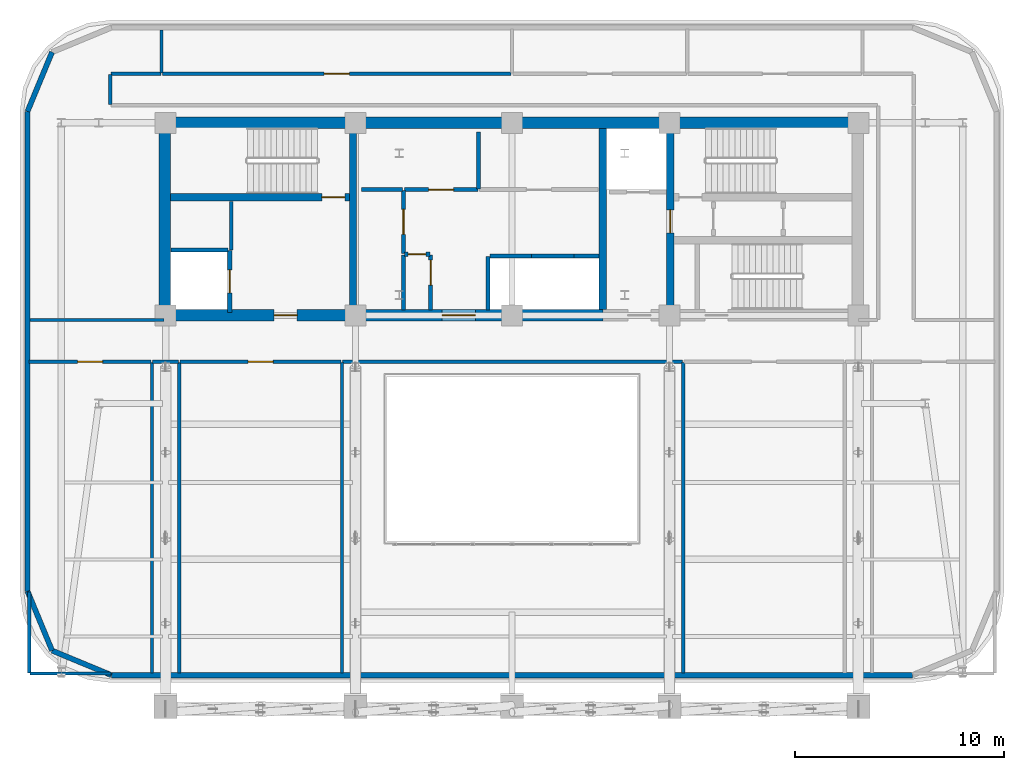
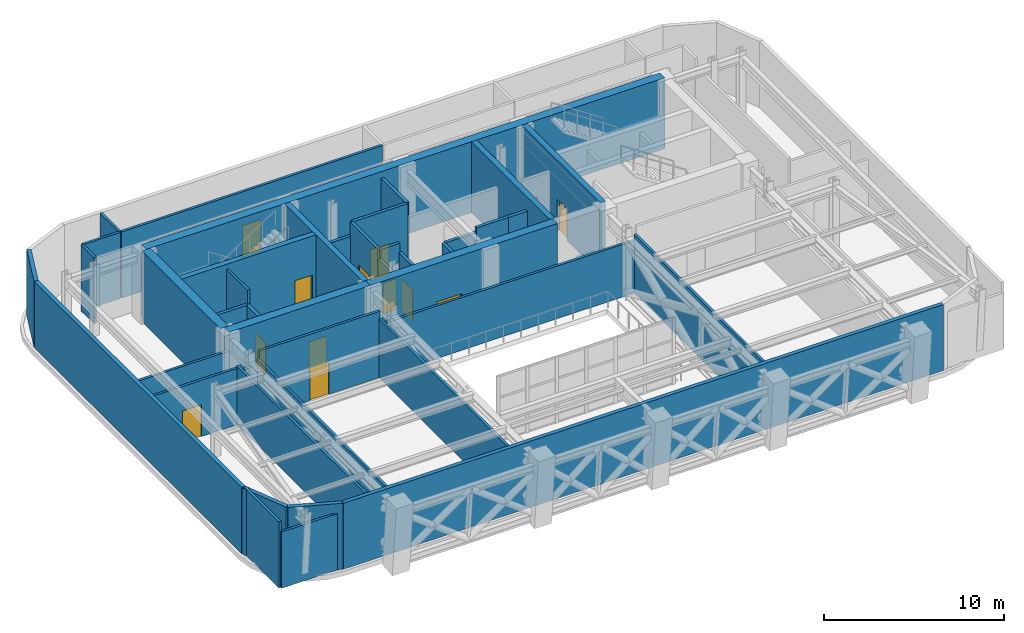
# One storey, part 7 of 12: 42 walls, 12 doors, 12 openings.
"""IFC4 building model written with IfcOpenShell, lengths in metres."""

from ifc_helpers import new_model, si_unit, direction, frame, frame_2d, origin, place, context, subcontext, project, spatial, rectangle, extrude, material, layer, layer_set, type_object, element, fill, save


model = new_model("IFC4")

# Units and contexts
model_context = context("Model", 3, precision=1e-05, world=origin(), true_north=direction((0.0, 1.0)))
body_context = subcontext(model_context, "Body", "Model", "MODEL_VIEW")
ifc_project = project(units=[si_unit("LENGTHUNIT", "METRE"), si_unit("AREAUNIT", "SQUARE_METRE"), si_unit("VOLUMEUNIT", "CUBIC_METRE"), si_unit("PLANEANGLEUNIT", "RADIAN"), si_unit("MASSUNIT", "GRAM", prefix="KILO")], contexts=[model_context])

# Site, building, storey
site_placement = place(None, origin())
site = spatial("IfcSite", under=ifc_project, at=site_placement, CompositionType="ELEMENT")
building_placement = place(site_placement, origin())
building = spatial("IfcBuilding", under=site, at=building_placement, Name="Zarnavel Station Tower", CompositionType="ELEMENT")
storey_placement = place(building_placement, frame((0.0, 0.0, 188.39990234375)))
storey = spatial("IfcBuildingStorey", under=building, at=storey_placement, Name="L51", CompositionType="ELEMENT", Elevation=188.39990234375)

# Walls
ifc_material_1 = material(Name="Concrete C50/60", Category="concrete")
ifc_layer_1 = layer(ifc_material_1, 0.35009765625)
ifc_layer_set_1 = layer_set([ifc_layer_1], Name="CW_350")
wall_type_1 = type_object("IfcWallType", Name="CW_350", PredefinedType="SHEAR", material=ifc_layer_set_1)
for number, where, z_axis, x_axis, name in (
    (1, (21.179931640625, 28.094970703125, 0.0), (0.0, 0.0, 1.0), (0.0, 1.0, 0.0), "L51 Rear Core Shear Wall DIV-W"),
    (2, (33.14990234375, 28.094970703125, 0.0), (0.0, 0.0, 1.0), (0.0, 1.0, 0.0), "L51 Rear Core Shear Wall DIV-E"),
):
    element("IfcWall", number, at=place(storey_placement, frame(where, z_axis=z_axis, x_axis=x_axis)), inside=storey, type_object=wall_type_1, Name=name, PredefinedType="SHEAR", context=body_context, shape_type="SweptSolid", body=[
        extrude(rectangle(XDim=8.679931640625, YDim=0.35009765625, at=frame_2d((4.33984375, 0.0))), origin(), (0.0, 0.0, 1.0), 4.800048828125),
    ])

# Wall, opening, door
wall_1_placement = place(storey_placement, frame((36.3798828125, 28.094970703125, 0.0), z_axis=(0.0, 0.0, 1.0), x_axis=(0.0, 1.0, 0.0)))
wall_1 = element("IfcWall", 3, at=wall_1_placement, inside=storey, type_object=wall_type_1, Name="L51 Rear Core Shear Wall DIV-S2", PredefinedType="SHEAR", context=body_context, shape_type="SweptSolid", body=[
    extrude(rectangle(XDim=8.679931640625, YDim=0.35009765625, at=frame_2d((4.33984375, 0.0))), origin(), (0.0, 0.0, 1.0), 4.800048828125),
])
opening_1_placement = place(wall_1_placement, frame((3.68505859375, 0.0, 0.0)))
opening_1 = element("IfcOpeningElement", 4, at=opening_1_placement, cuts=wall_1, Name="Opening FD01", PredefinedType="OPENING", context=body_context, shape_type="SweptSolid", body=[
    extrude(rectangle(XDim=1.10009765625, YDim=2.14990234375, at=frame_2d((0.550048828125, 1.074951171875))), frame((0.0, 0.18505859375, 0.0), z_axis=(0.0, -1.0, 0.0), x_axis=(1.0, 0.0, 0.0)), (0.0, 0.0, 1.0), 0.3701171875),
])
ifc_material_2 = material(Name="Painted Galvanised Steel and Hardwood Leaf", Category="steel")
door_type_1 = type_object("IfcDoorType", Name="ID_STAIR_1100", OperationType="NOTDEFINED", PredefinedType="DOOR", material=ifc_material_2)
door_1_placement = place(opening_1_placement, origin())
door_1 = element("IfcDoor", 5, at=door_1_placement, inside=storey, type_object=door_type_1, Name="L51 East Stair Vestibule Fire Door", OperationType="SINGLE_SWING_LEFT", OverallHeight=2.14990234375, OverallWidth=1.10009765625, PredefinedType="DOOR", context=body_context, shape_type="SweptSolid", body=[
    extrude(rectangle(XDim=1.10009765625, YDim=2.14990234375, at=frame_2d((0.550048828125, 1.074951171875))), frame((0.0, 0.02490234375, 0.0), z_axis=(0.0, -1.0, 0.0), x_axis=(1.0, 0.0, 0.0)), (0.0, 0.0, 1.0), 0.050048828125),
])
fill(opening_1, door_1)

wall_2_placement = place(storey_placement, frame((21.0048828125, 33.47998046875, 0.0), z_axis=(0.0, 0.0, 1.0), x_axis=(-1.0, 0.0, 0.0)))
wall_2 = element("IfcWall", 6, at=wall_2_placement, inside=storey, type_object=wall_type_1, Name="L51 Rear Core Shear Wall DIV-H1", PredefinedType="SHEAR", context=body_context, shape_type="SweptSolid", body=[
    extrude(rectangle(XDim=8.579833984375, YDim=0.35009765625, at=frame_2d((4.2900390625, 0.0))), origin(), (0.0, 0.0, 1.0), 4.800048828125),
])
opening_2_placement = place(wall_2_placement, frame((0.219970703125, 0.0, 0.0)))
opening_2 = element("IfcOpeningElement", 7, at=opening_2_placement, cuts=wall_2, Name="Opening FD01", PredefinedType="OPENING", context=body_context, shape_type="SweptSolid", body=[
    extrude(rectangle(XDim=1.10009765625, YDim=2.14990234375, at=frame_2d((0.550048828125, 1.074951171875))), frame((0.0, 0.18505859375, 0.0), z_axis=(0.0, -1.0, 0.0), x_axis=(1.0, 0.0, 0.0)), (0.0, 0.0, 1.0), 0.3701171875),
])
door_2_placement = place(opening_2_placement, origin())
door_2 = element("IfcDoor", 8, at=door_2_placement, inside=storey, type_object=door_type_1, Name="L51 Stair ST1 Lobby Fire Door", OperationType="SINGLE_SWING_LEFT", OverallHeight=2.14990234375, OverallWidth=1.10009765625, PredefinedType="DOOR", context=body_context, shape_type="SweptSolid", body=[
    extrude(rectangle(XDim=1.10009765625, YDim=2.14990234375, at=frame_2d((0.550048828125, 1.074951171875))), frame((0.0, 0.02490234375, 0.0), z_axis=(0.0, -1.0, 0.0), x_axis=(1.0, 0.0, 0.0)), (0.0, 0.0, 1.0), 0.050048828125),
])
fill(opening_2, door_2)

# Wall
ifc_material_3 = material(Name="Concrete C50/60", Category="concrete")
ifc_layer_2 = layer(ifc_material_3, 0.550048828125)
ifc_layer_set_2 = layer_set([ifc_layer_2], Name="CW_550")
wall_type_2 = type_object("IfcWallType", Name="CW_550", PredefinedType="SHEAR", material=ifc_layer_set_2)
wall_3_placement = place(storey_placement, frame((12.14990234375, 37.050048828125, 0.0), z_axis=(0.0, 0.0, 1.0), x_axis=(1.0, 0.0, 0.0)))
element("IfcWall", 9, at=wall_3_placement, inside=storey, type_object=wall_type_2, Name="L51 Rear Core Shear Wall N", PredefinedType="SHEAR", context=body_context, shape_type="SweptSolid", body=[
    extrude(rectangle(XDim=33.22998046875, YDim=0.550048828125, at=frame_2d((16.614990234375, 0.0))), origin(), (0.0, 0.0, 1.0), 4.800048828125),
])

# Wall, opening, door
wall_4_placement = place(storey_placement, frame((21.179931640625, 27.820068359375, 0.0), z_axis=(0.0, 0.0, 1.0), x_axis=(-1.0, 0.0, 0.0)))
wall_4 = element("IfcWall", 10, at=wall_4_placement, inside=storey, type_object=wall_type_2, Name="L51 Rear Core Shear Wall S-W", PredefinedType="SHEAR", context=body_context, shape_type="SweptSolid", body=[
    extrude(rectangle(XDim=9.030029296875, YDim=0.550048828125, at=frame_2d((4.51513671875, 0.0))), origin(), (0.0, 0.0, 1.0), 4.800048828125),
])
opening_3_placement = place(wall_4_placement, frame((2.679931640625, 0.0, 0.0)))
opening_3 = element("IfcOpeningElement", 11, at=opening_3_placement, cuts=wall_4, Name="Opening FD01", PredefinedType="OPENING", context=body_context, shape_type="SweptSolid", body=[
    extrude(rectangle(XDim=1.10009765625, YDim=2.14990234375, at=frame_2d((0.550048828125, 1.074951171875))), frame((0.0, 0.284912109375, 0.0), z_axis=(0.0, -1.0, 0.0), x_axis=(1.0, 0.0, 0.0)), (0.0, 0.0, 1.0), 0.570068359375),
])
door_3_placement = place(opening_3_placement, origin())
door_3 = element("IfcDoor", 12, at=door_3_placement, inside=storey, type_object=door_type_1, Name="L51 West Firefighting Lobby Door", OperationType="SINGLE_SWING_RIGHT", OverallHeight=2.14990234375, OverallWidth=1.10009765625, PredefinedType="DOOR", context=body_context, shape_type="SweptSolid", body=[
    extrude(rectangle(XDim=1.10009765625, YDim=2.14990234375, at=frame_2d((0.550048828125, 1.074951171875))), frame((0.0, 0.02490234375, 0.0), z_axis=(0.0, -1.0, 0.0), x_axis=(1.0, 0.0, 0.0)), (0.0, 0.0, 1.0), 0.050048828125),
])
fill(opening_3, door_3)

wall_5_placement = place(storey_placement, frame((33.14990234375, 27.820068359375, 0.0), z_axis=(0.0, 0.0, 1.0), x_axis=(-1.0, 0.0, 0.0)))
wall_5 = element("IfcWall", 13, at=wall_5_placement, inside=storey, type_object=wall_type_2, Name="L51 Rear Core Shear Wall S-M", PredefinedType="SHEAR", context=body_context, shape_type="SweptSolid", body=[
    extrude(rectangle(XDim=11.969970703125, YDim=0.550048828125, at=frame_2d((5.98486328125, 0.0))), origin(), (0.0, 0.0, 1.0), 4.800048828125),
])
opening_4_placement = place(wall_5_placement, frame((6.10009765625, 0.0, 0.0)))
opening_4 = element("IfcOpeningElement", 14, at=opening_4_placement, cuts=wall_5, Name="Opening ID03", PredefinedType="OPENING", context=body_context, shape_type="SweptSolid", body=[
    extrude(rectangle(XDim=1.60009765625, YDim=2.199951171875, at=frame_2d((0.800048828125, 1.10009765625))), frame((0.0, 0.284912109375, 0.0), z_axis=(0.0, -1.0, 0.0), x_axis=(1.0, 0.0, 0.0)), (0.0, 0.0, 1.0), 0.570068359375),
])
ifc_material_4 = material(Name="Painted Galvanised Steel and Hardwood Leaf", Category="steel")
door_type_2 = type_object("IfcDoorType", Name="ID_PUBLIC_1600", OperationType="DOUBLE_DOOR_SINGLE_SWING", PredefinedType="DOOR", material=ifc_material_4)
door_4_placement = place(opening_4_placement, origin())
door_4 = element("IfcDoor", 15, at=door_4_placement, inside=storey, type_object=door_type_2, Name="L51 Passenger Lift Lobby Double Door", OperationType="SINGLE_SWING_LEFT", OverallHeight=2.199951171875, OverallWidth=1.60009765625, PredefinedType="DOOR", context=body_context, shape_type="SweptSolid", body=[
    extrude(rectangle(XDim=1.60009765625, YDim=2.199951171875, at=frame_2d((0.800048828125, 1.10009765625))), frame((0.0, 0.02490234375, 0.0), z_axis=(0.0, -1.0, 0.0), x_axis=(1.0, 0.0, 0.0)), (0.0, 0.0, 1.0), 0.050048828125),
])
fill(opening_4, door_4)

# Walls
wall_6_placement = place(storey_placement, frame((12.14990234375, 28.094970703125, 0.0), z_axis=(0.0, 0.0, 1.0), x_axis=(0.0, 1.0, 0.0)))
element("IfcWall", 16, at=wall_6_placement, inside=storey, type_object=wall_type_2, Name="L51 Rear Core Shear Wall W", PredefinedType="SHEAR", context=body_context, shape_type="SweptSolid", body=[
    extrude(rectangle(XDim=8.679931640625, YDim=0.550048828125, at=frame_2d((4.33984375, 0.0))), origin(), (0.0, 0.0, 1.0), 4.800048828125),
])
ifc_material_5 = material(Name="Precast concrete C45/55 (Basalt Spandrel)", Category="masonry")
ifc_layer_3 = layer(ifc_material_5, 0.25)
ifc_layer_set_3 = layer_set([ifc_layer_3], Name="EW_SPANDREL_250")
wall_type_3 = type_object("IfcWallType", Name="EW_SPANDREL_250", PredefinedType="SOLIDWALL", material=ifc_layer_set_3)
wall_7_placement = place(storey_placement, frame((5.580078125, 37.60009765625, 0.0), z_axis=(0.0, 0.0, 1.0), x_axis=(0.382636798336, 0.92389884758, 0.0)))
element("IfcWall", 17, at=wall_7_placement, inside=storey, type_object=wall_type_3, Name="L51 Exterior Basalt Masonry Frame Wall 08", PredefinedType="SOLIDWALL", context=body_context, shape_type="SweptSolid", body=[
    extrude(rectangle(XDim=3.07666015625, YDim=0.25, at=frame_2d((1.538330078125, 0.0))), origin(), (0.0, 0.0, 1.0), 4.47998046875),
])
wall_8_placement = place(storey_placement, frame((5.580078125, 14.60009765625, 0.0), z_axis=(0.0, 0.0, 1.0), x_axis=(0.0, 1.0, 0.0)))
element("IfcWall", 18, at=wall_8_placement, inside=storey, type_object=wall_type_3, Name="L51 Exterior Basalt Masonry Frame Wall 09", PredefinedType="SOLIDWALL", context=body_context, shape_type="SweptSolid", body=[
    extrude(rectangle(XDim=23.0, YDim=0.25, at=frame_2d((11.5, 0.0))), origin(), (0.0, 0.0, 1.0), 4.47998046875),
])
for number, where, z_axis, x_axis, name in (
    (19, (6.75732421875, 11.75732421875, 0.0), (0.0, 0.0, 1.0), (-0.382608747773, 0.923910464346, 0.0), "L51 Exterior Basalt Masonry Frame Wall 10"),
    (20, (9.60009765625, 10.580078125, 0.0), (0.0, 0.0, 1.0), (-0.923910464346, 0.382608747773, 0.0), "L51 Exterior Basalt Masonry Frame Wall 11"),
):
    element("IfcWall", number, at=place(storey_placement, frame(where, z_axis=z_axis, x_axis=x_axis)), inside=storey, type_object=wall_type_3, Name=name, PredefinedType="SOLIDWALL", context=body_context, shape_type="SweptSolid", body=[
        extrude(rectangle(XDim=3.076904296875, YDim=0.25, at=frame_2d((1.53857421875, 0.0))), origin(), (0.0, 0.0, 1.0), 4.47998046875),
    ])
wall_9_placement = place(storey_placement, frame((48.0, 10.580078125, 0.0), z_axis=(0.0, 0.0, 1.0), x_axis=(-1.0, 0.0, 0.0)))
element("IfcWall", 21, at=wall_9_placement, inside=storey, type_object=wall_type_3, Name="L51 Exterior Basalt Masonry Frame Wall 12", PredefinedType="SOLIDWALL", context=body_context, shape_type="SweptSolid", body=[
    extrude(rectangle(XDim=38.39990234375, YDim=0.25, at=frame_2d((19.199951171875, 0.0))), origin(), (0.0, 0.0, 1.0), 4.47998046875),
])

# Wall, opening, door
ifc_material_6 = material(Name="Gypsum Twin-Stud Acoustic Fire Partition", Category="concrete")
ifc_layer_4 = layer(ifc_material_6, 0.159912109375)
ifc_layer_set_4 = layer_set([ifc_layer_4], Name="PT_DEMISE_160")
wall_type_4 = type_object("IfcWallType", Name="PT_DEMISE_160", PredefinedType="PARTITIONING", material=ifc_layer_set_4)
wall_10_placement = place(storey_placement, frame((5.659912109375, 25.60009765625, 0.0), z_axis=(0.0, 0.0, 1.0), x_axis=(1.0, 0.0, 0.0)))
wall_10 = element("IfcWall", 22, at=wall_10_placement, inside=storey, type_object=wall_type_4, Name="L51 Partition PCOR-REFG", PredefinedType="PARTITIONING", context=body_context, shape_type="SweptSolid", body=[
    extrude(rectangle(XDim=5.85009765625, YDim=0.159912109375, at=frame_2d((2.925048828125, 0.0))), origin(), (0.0, 0.0, 1.0), 3.81005859375),
])
opening_5_placement = place(wall_10_placement, frame((2.324951171875, 0.0, 0.0)))
opening_5 = element("IfcOpeningElement", 23, at=opening_5_placement, cuts=wall_10, Name="Opening FD03", PredefinedType="OPENING", context=body_context, shape_type="SweptSolid", body=[
    extrude(rectangle(XDim=1.199951171875, YDim=2.14990234375, at=frame_2d((0.60009765625, 1.074951171875))), frame((0.0, 0.08984375, 0.0), z_axis=(0.0, -1.0, 0.0), x_axis=(1.0, 0.0, 0.0)), (0.0, 0.0, 1.0), 0.179931640625),
])
ifc_material_7 = material(Name="Painted Galvanised Steel and Hardwood Leaf", Category="steel")
door_type_3 = type_object("IfcDoorType", Name="ID_PLANT_1200", OperationType="NOTDEFINED", PredefinedType="DOOR", material=ifc_material_7)
door_5_placement = place(opening_5_placement, origin())
door_5 = element("IfcDoor", 24, at=door_5_placement, inside=storey, type_object=door_type_3, Name="L51 Door PCOR-REFG", OperationType="SINGLE_SWING_LEFT", OverallHeight=2.14990234375, OverallWidth=1.199951171875, PredefinedType="DOOR", context=body_context, shape_type="SweptSolid", body=[
    extrude(rectangle(XDim=1.199951171875, YDim=2.14990234375, at=frame_2d((0.60009765625, 1.074951171875))), frame((0.0, 0.02490234375, 0.0), z_axis=(0.0, -1.0, 0.0), x_axis=(1.0, 0.0, 0.0)), (0.0, 0.0, 1.0), 0.050048828125),
])
fill(opening_5, door_5)

wall_11_placement = place(storey_placement, frame((12.889892578125, 25.60009765625, 0.0), z_axis=(0.0, 0.0, 1.0), x_axis=(1.0, 0.0, 0.0)))
wall_11 = element("IfcWall", 25, at=wall_11_placement, inside=storey, type_object=wall_type_4, Name="L51 Partition PCOR-AHU1", PredefinedType="PARTITIONING", context=body_context, shape_type="SweptSolid", body=[
    extrude(rectangle(XDim=7.72021484375, YDim=0.159912109375, at=frame_2d((3.860107421875, 0.0))), origin(), (0.0, 0.0, 1.0), 4.47998046875),
])
opening_6_placement = place(wall_11_placement, frame((3.260009765625, 0.0, 0.0)))
opening_6 = element("IfcOpeningElement", 26, at=opening_6_placement, cuts=wall_11, Name="Opening FD03", PredefinedType="OPENING", context=body_context, shape_type="SweptSolid", body=[
    extrude(rectangle(XDim=1.199951171875, YDim=2.14990234375, at=frame_2d((0.60009765625, 1.074951171875))), frame((0.0, 0.08984375, 0.0), z_axis=(0.0, -1.0, 0.0), x_axis=(1.0, 0.0, 0.0)), (0.0, 0.0, 1.0), 0.179931640625),
])
door_6_placement = place(opening_6_placement, origin())
door_6 = element("IfcDoor", 27, at=door_6_placement, inside=storey, type_object=door_type_3, Name="L51 Door PCOR-AHU1", OperationType="SINGLE_SWING_RIGHT", OverallHeight=2.14990234375, OverallWidth=1.199951171875, PredefinedType="DOOR", context=body_context, shape_type="SweptSolid", body=[
    extrude(rectangle(XDim=1.199951171875, YDim=2.14990234375, at=frame_2d((0.60009765625, 1.074951171875))), frame((0.0, 0.02490234375, 0.0), z_axis=(0.0, -1.0, 0.0), x_axis=(1.0, 0.0, 0.0)), (0.0, 0.0, 1.0), 0.050048828125),
])
fill(opening_6, door_6)

wall_12_placement = place(storey_placement, frame((12.0400390625, 39.39990234375, 0.0), z_axis=(0.0, 0.0, 1.0), x_axis=(1.0, 0.0, 0.0)))
wall_12 = element("IfcWall", 28, at=wall_12_placement, inside=storey, type_object=wall_type_4, Name="L51 Partition PCOR-N-REFG2", PredefinedType="PARTITIONING", context=body_context, shape_type="SweptSolid", body=[
    extrude(rectangle(XDim=16.719970703125, YDim=0.159912109375, at=frame_2d((8.35986328125, 0.0))), origin(), (0.0, 0.0, 1.0), 4.47998046875),
])
opening_7_placement = place(wall_12_placement, frame((7.760009765625, 0.0, 0.0)))
opening_7 = element("IfcOpeningElement", 29, at=opening_7_placement, cuts=wall_12, Name="Opening FD03", PredefinedType="OPENING", context=body_context, shape_type="SweptSolid", body=[
    extrude(rectangle(XDim=1.199951171875, YDim=2.14990234375, at=frame_2d((0.60009765625, 1.074951171875))), frame((0.0, 0.08984375, 0.0), z_axis=(0.0, -1.0, 0.0), x_axis=(1.0, 0.0, 0.0)), (0.0, 0.0, 1.0), 0.179931640625),
])
door_7_placement = place(opening_7_placement, origin())
door_7 = element("IfcDoor", 30, at=door_7_placement, inside=storey, type_object=door_type_3, Name="L51 Door PCOR-N-REFG2", OperationType="SINGLE_SWING_LEFT", OverallHeight=2.14990234375, OverallWidth=1.199951171875, PredefinedType="DOOR", context=body_context, shape_type="SweptSolid", body=[
    extrude(rectangle(XDim=1.199951171875, YDim=2.14990234375, at=frame_2d((0.60009765625, 1.074951171875))), frame((0.0, 0.02490234375, 0.0), z_axis=(0.0, -1.0, 0.0), x_axis=(1.0, 0.0, 0.0)), (0.0, 0.0, 1.0), 0.050048828125),
])
fill(opening_7, door_7)

# Walls
wall_13_placement = place(storey_placement, frame((15.35009765625, 30.9599609375, 0.0), z_axis=(0.0, 0.0, 1.0), x_axis=(0.0, 1.0, 0.0)))
element("IfcWall", 31, at=wall_13_placement, inside=storey, type_object=wall_type_4, Name="L51 Enclosure Wall FFL1", PredefinedType="PARTITIONING", context=body_context, shape_type="SweptSolid", body=[
    extrude(rectangle(XDim=2.31005859375, YDim=0.159912109375, at=frame_2d((1.155029296875, 0.0))), origin(), (0.0, 0.0, 1.0), 4.47998046875),
])
wall_14_placement = place(storey_placement, frame((11.580078125, 25.60009765625, 0.0), z_axis=(0.0, 0.0, 1.0), x_axis=(1.0, 0.0, 0.0)))
element("IfcWall", 32, at=wall_14_placement, inside=storey, type_object=wall_type_4, Name="L51 Enclosure Wall PCOR", PredefinedType="PARTITIONING", context=body_context, shape_type="SweptSolid", body=[
    extrude(rectangle(XDim=1.239990234375, YDim=0.159912109375, at=frame_2d((0.6201171875, 0.0))), origin(), (0.0, 0.0, 1.0), 3.56005859375),
])
wall_15_placement = place(storey_placement, frame((20.679931640625, 25.60009765625, 0.0), z_axis=(0.0, 0.0, 1.0), x_axis=(1.0, 0.0, 0.0)))
element("IfcWall", 33, at=wall_15_placement, inside=storey, type_object=wall_type_4, Name="L51 Enclosure Wall PCOR", PredefinedType="PARTITIONING", context=body_context, shape_type="SweptSolid", body=[
    extrude(rectangle(XDim=16.2900390625, YDim=0.159912109375, at=frame_2d((8.14501953125, 0.0))), origin(), (0.0, 0.0, 1.0), 3.56005859375),
])
wall_16_placement = place(storey_placement, frame((5.68994140625, 27.60009765625, 0.0), z_axis=(0.0, 0.0, 1.0), x_axis=(1.0, 0.0, 0.0)))
element("IfcWall", 34, at=wall_16_placement, inside=storey, type_object=wall_type_4, Name="L51 Enclosure Wall PCOR", PredefinedType="PARTITIONING", context=body_context, shape_type="SweptSolid", body=[
    extrude(rectangle(XDim=6.43017578125, YDim=0.159912109375, at=frame_2d((3.215087890625, 0.0))), origin(), (0.0, 0.0, 1.0), 3.550048828125),
])
wall_17_placement = place(storey_placement, frame((9.580078125, 39.39990234375, 0.0), z_axis=(0.0, 0.0, 1.0), x_axis=(1.0, 0.0, 0.0)))
element("IfcWall", 35, at=wall_17_placement, inside=storey, type_object=wall_type_4, Name="L51 Enclosure Wall PCOR-N", PredefinedType="PARTITIONING", context=body_context, shape_type="SweptSolid", body=[
    extrude(rectangle(XDim=2.389892578125, YDim=0.159912109375, at=frame_2d((1.19482421875, 0.0))), origin(), (0.0, 0.0, 1.0), 4.47998046875),
])
wall_18_placement = place(storey_placement, frame((9.550048828125, 37.929931640625, 0.0), z_axis=(0.0, 0.0, 1.0), x_axis=(0.0, 1.0, 0.0)))
element("IfcWall", 36, at=wall_18_placement, inside=storey, type_object=wall_type_4, Name="L51 Enclosure Wall PCOR-N", PredefinedType="PARTITIONING", context=body_context, shape_type="SweptSolid", body=[
    extrude(rectangle(XDim=1.440185546875, YDim=0.159912109375, at=frame_2d((0.72021484375, 0.0))), origin(), (0.0, 0.0, 1.0), 4.47998046875),
])
wall_19_placement = place(storey_placement, frame((5.68994140625, 10.659912109375, 0.0), z_axis=(0.0, 0.0, 1.0), x_axis=(1.0, 0.0, 0.0)))
element("IfcWall", 37, at=wall_19_placement, inside=storey, type_object=wall_type_4, Name="L51 Enclosure Wall REFG", PredefinedType="PARTITIONING", context=body_context, shape_type="SweptSolid", body=[
    extrude(rectangle(XDim=3.880126953125, YDim=0.159912109375, at=frame_2d((1.93994140625, 0.0))), origin(), (0.0, 0.0, 1.0), 3.81005859375),
])
wall_20_placement = place(storey_placement, frame((5.659912109375, 10.68994140625, 0.0), z_axis=(0.0, 0.0, 1.0), x_axis=(0.0, 1.0, 0.0)))
element("IfcWall", 38, at=wall_20_placement, inside=storey, type_object=wall_type_4, Name="L51 Enclosure Wall REFG", PredefinedType="PARTITIONING", context=body_context, shape_type="SweptSolid", body=[
    extrude(rectangle(XDim=3.880126953125, YDim=0.159912109375, at=frame_2d((1.93994140625, 0.0))), origin(), (0.0, 0.0, 1.0), 4.47998046875),
])
for number, where, z_axis, x_axis, name in (
    (39, (11.550048828125, 10.68994140625, 0.0), (0.0, 0.0, 1.0), (0.0, 1.0, 0.0), "L51 Enclosure Wall REFG"),
    (40, (12.85009765625, 10.68994140625, 0.0), (0.0, 0.0, 1.0), (0.0, 1.0, 0.0), "L51 Enclosure Wall AHU1"),
    (41, (20.64990234375, 10.68994140625, 0.0), (0.0, 0.0, 1.0), (0.0, 1.0, 0.0), "L51 Enclosure Wall AHU1"),
    (42, (37.0, 10.68994140625, 0.0), (0.0, 0.0, 1.0), (0.0, 1.0, 0.0), "L51 Enclosure Wall AHU2"),
):
    element("IfcWall", number, at=place(storey_placement, frame(where, z_axis=z_axis, x_axis=x_axis)), inside=storey, type_object=wall_type_4, Name=name, PredefinedType="PARTITIONING", context=body_context, shape_type="SweptSolid", body=[
        extrude(rectangle(XDim=14.880126953125, YDim=0.159912109375, at=frame_2d((7.43994140625, 0.0))), origin(), (0.0, 0.0, 1.0), 3.960205078125),
    ])
wall_21_placement = place(storey_placement, frame((12.0, 39.429931640625, 0.0), z_axis=(0.0, 0.0, 1.0), x_axis=(0.0, 1.0, 0.0)))
element("IfcWall", 43, at=wall_21_placement, inside=storey, type_object=wall_type_4, Name="L51 Enclosure Wall REFG2", PredefinedType="PARTITIONING", context=body_context, shape_type="SweptSolid", body=[
    extrude(rectangle(XDim=2.080078125, YDim=0.159912109375, at=frame_2d((1.0400390625, 0.0))), origin(), (0.0, 0.0, 1.0), 4.47998046875),
])

# Wall, opening, door
ifc_material_8 = material(Name="Precast concrete C45/55 (Fire Shaft Blockwork)", Category="masonry")
ifc_layer_5 = layer(ifc_material_8, 0.199951171875)
ifc_layer_set_5 = layer_set([ifc_layer_5], Name="PT_SHAFT_200")
wall_type_5 = type_object("IfcWallType", Name="PT_SHAFT_200", PredefinedType="PARTITIONING", material=ifc_layer_set_5)
wall_22_placement = place(storey_placement, frame((15.27001953125, 27.969970703125, 0.0), z_axis=(0.0, 0.0, 1.0), x_axis=(0.0, 1.0, 0.0)))
wall_22 = element("IfcWall", 44, at=wall_22_placement, inside=storey, type_object=wall_type_5, Name="L51 Lift FFL-01 Shaft Front Wall", PredefinedType="PARTITIONING", context=body_context, shape_type="SweptSolid", body=[
    extrude(rectangle(XDim=2.9599609375, YDim=0.199951171875, at=frame_2d((1.47998046875, 0.0))), origin(), (0.0, 0.0, 1.0), 3.550048828125),
])
opening_8_placement = place(wall_22_placement, frame((0.929931640625, 0.0, 0.0)))
opening_8 = element("IfcOpeningElement", 45, at=opening_8_placement, cuts=wall_22, Name="Opening LD01", PredefinedType="OPENING", context=body_context, shape_type="SweptSolid", body=[
    extrude(rectangle(XDim=1.10009765625, YDim=2.14990234375, at=frame_2d((0.550048828125, 1.074951171875))), frame((0.0, 0.10986328125, 0.0), z_axis=(0.0, -1.0, 0.0), x_axis=(1.0, 0.0, 0.0)), (0.0, 0.0, 1.0), 0.219970703125),
])
ifc_material_9 = material(Name="Painted Galvanised Steel and Hardwood Leaf", Category="steel")
door_type_4 = type_object("IfcDoorType", Name="LD_FF_1100", OperationType="DOUBLE_DOOR_SLIDING", PredefinedType="DOOR", material=ifc_material_9)
door_8_placement = place(opening_8_placement, origin())
door_8 = element("IfcDoor", 46, at=door_8_placement, inside=storey, type_object=door_type_4, Name="L51 Lift FFL-01 Sliding Landing Door", OperationType="DOUBLE_DOOR_SLIDING", OverallHeight=2.14990234375, OverallWidth=1.10009765625, PredefinedType="DOOR", context=body_context, shape_type="SweptSolid", body=[
    extrude(rectangle(XDim=1.10009765625, YDim=2.14990234375, at=frame_2d((0.550048828125, 1.074951171875))), frame((0.0, 0.02490234375, 0.0), z_axis=(0.0, -1.0, 0.0), x_axis=(1.0, 0.0, 0.0)), (0.0, 0.0, 1.0), 0.050048828125),
])
fill(opening_8, door_8)

# Walls
wall_23_placement = place(storey_placement, frame((12.449951171875, 30.949951171875, 0.0), z_axis=(0.0, 0.0, 1.0), x_axis=(1.0, 0.0, 0.0)))
element("IfcWall", 47, at=wall_23_placement, inside=storey, type_object=wall_type_5, Name="L51 Lift FFL-01 North Shaft Wall", PredefinedType="PARTITIONING", context=body_context, shape_type="SweptSolid", body=[
    extrude(rectangle(XDim=2.75, YDim=0.199951171875, at=frame_2d((1.375, 0.0))), origin(), (0.0, 0.0, 1.0), 3.550048828125),
])
wall_24_placement = place(storey_placement, frame((27.75, 30.669921875, 0.0), z_axis=(0.0, 0.0, 1.0), x_axis=(1.0, 0.0, 0.0)))
element("IfcWall", 48, at=wall_24_placement, inside=storey, type_object=wall_type_5, Name="L51 Lift PL-H1 Shaft Front Wall", PredefinedType="PARTITIONING", context=body_context, shape_type="SweptSolid", body=[
    extrude(rectangle(XDim=1.97509765625, YDim=0.199951171875, at=frame_2d((0.987548828125, 0.0))), origin(), (0.0, 0.0, 1.0), 3.550048828125),
])
wall_25_placement = place(storey_placement, frame((27.64990234375, 28.070068359375, 0.0), z_axis=(0.0, 0.0, 1.0), x_axis=(0.0, 1.0, 0.0)))
element("IfcWall", 49, at=wall_25_placement, inside=storey, type_object=wall_type_5, Name="L51 High-Rise Lift Bank West Shaft Wall", PredefinedType="PARTITIONING", context=body_context, shape_type="SweptSolid", body=[
    extrude(rectangle(XDim=2.579833984375, YDim=0.199951171875, at=frame_2d((1.2900390625, 0.0))), origin(), (0.0, 0.0, 1.0), 3.550048828125),
])
wall_26_placement = place(storey_placement, frame((29.72509765625, 30.669921875, 0.0), z_axis=(0.0, 0.0, 1.0), x_axis=(1.0, 0.0, 0.0)))
element("IfcWall", 50, at=wall_26_placement, inside=storey, type_object=wall_type_5, Name="L51 Lift PL-H2 Shaft Front Wall", PredefinedType="PARTITIONING", context=body_context, shape_type="SweptSolid", body=[
    extrude(rectangle(XDim=2.0498046875, YDim=0.199951171875, at=frame_2d((1.02490234375, 0.0))), origin(), (0.0, 0.0, 1.0), 3.860107421875),
])
wall_27_placement = place(storey_placement, frame((31.77490234375, 30.669921875, 0.0), z_axis=(0.0, 0.0, 1.0), x_axis=(1.0, 0.0, 0.0)))
element("IfcWall", 51, at=wall_27_placement, inside=storey, type_object=wall_type_5, Name="L51 Lift PL-H3 Shaft Front Wall", PredefinedType="PARTITIONING", context=body_context, shape_type="SweptSolid", body=[
    extrude(rectangle(XDim=1.2001953125, YDim=0.199951171875, at=frame_2d((0.60009765625, 0.0))), origin(), (0.0, 0.0, 1.0), 3.860107421875),
])

# Wall, opening, door
wall_28_placement = place(storey_placement, frame((23.60009765625, 30.7900390625, 0.0), z_axis=(0.0, 0.0, 1.0), x_axis=(0.0, 1.0, 0.0)))
wall_28 = element("IfcWall", 52, at=wall_28_placement, inside=storey, type_object=wall_type_5, Name="L51 Partition LLOB-CS1", PredefinedType="PARTITIONING", context=body_context, shape_type="SweptSolid", body=[
    extrude(rectangle(XDim=3.02001953125, YDim=0.199951171875, at=frame_2d((1.510009765625, 0.0))), origin(), (0.0, 0.0, 1.0), 4.47998046875),
])
opening_9_placement = place(wall_28_placement, frame((0.909912109375, 0.0, 0.0)))
opening_9 = element("IfcOpeningElement", 53, at=opening_9_placement, cuts=wall_28, Name="Opening FD03", PredefinedType="OPENING", context=body_context, shape_type="SweptSolid", body=[
    extrude(rectangle(XDim=1.199951171875, YDim=2.14990234375, at=frame_2d((0.60009765625, 1.074951171875))), frame((0.0, 0.10986328125, 0.0), z_axis=(0.0, -1.0, 0.0), x_axis=(1.0, 0.0, 0.0)), (0.0, 0.0, 1.0), 0.219970703125),
])
door_9_placement = place(opening_9_placement, origin())
door_9 = element("IfcDoor", 54, at=door_9_placement, inside=storey, type_object=door_type_3, Name="L51 Door LLOB-CS1", OperationType="SINGLE_SWING_RIGHT", OverallHeight=2.14990234375, OverallWidth=1.199951171875, PredefinedType="DOOR", context=body_context, shape_type="SweptSolid", body=[
    extrude(rectangle(XDim=1.199951171875, YDim=2.14990234375, at=frame_2d((0.60009765625, 1.074951171875))), frame((0.0, 0.02490234375, 0.0), z_axis=(0.0, -1.0, 0.0), x_axis=(1.0, 0.0, 0.0)), (0.0, 0.0, 1.0), 0.050048828125),
])
fill(opening_9, door_9)

wall_29_placement = place(storey_placement, frame((23.639892578125, 30.75, 0.0), z_axis=(0.0, 0.0, 1.0), x_axis=(1.0, 0.0, 0.0)))
wall_29 = element("IfcWall", 55, at=wall_29_placement, inside=storey, type_object=wall_type_5, Name="L51 Partition LLOB-CS2", PredefinedType="PARTITIONING", context=body_context, shape_type="SweptSolid", body=[
    extrude(rectangle(XDim=1.22021484375, YDim=0.199951171875, at=frame_2d((0.610107421875, 0.0))), origin(), (0.0, 0.0, 1.0), 4.47998046875),
])
opening_10_placement = place(wall_29_placement, frame((0.18505859375, 0.0, 0.0)))
opening_10 = element("IfcOpeningElement", 56, at=opening_10_placement, cuts=wall_29, Name="Opening ID02", PredefinedType="OPENING", context=body_context, shape_type="SweptSolid", body=[
    extrude(rectangle(XDim=0.85009765625, YDim=2.10009765625, at=frame_2d((0.425048828125, 1.050048828125))), frame((0.0, 0.10986328125, 0.0), z_axis=(0.0, -1.0, 0.0), x_axis=(1.0, 0.0, 0.0)), (0.0, 0.0, 1.0), 0.219970703125),
])
ifc_material_10 = material(Name="Painted Galvanised Steel and Hardwood Leaf", Category="steel")
door_type_5 = type_object("IfcDoorType", Name="ID_BATH_850", OperationType="NOTDEFINED", PredefinedType="DOOR", material=ifc_material_10)
door_10_placement = place(opening_10_placement, origin())
door_10 = element("IfcDoor", 57, at=door_10_placement, inside=storey, type_object=door_type_5, Name="L51 Door LLOB-CS2", OperationType="SINGLE_SWING_LEFT", OverallHeight=2.10009765625, OverallWidth=0.85009765625, PredefinedType="DOOR", context=body_context, shape_type="SweptSolid", body=[
    extrude(rectangle(XDim=0.85009765625, YDim=2.10009765625, at=frame_2d((0.425048828125, 1.050048828125))), frame((0.0, 0.02490234375, 0.0), z_axis=(0.0, -1.0, 0.0), x_axis=(1.0, 0.0, 0.0)), (0.0, 0.0, 1.0), 0.050048828125),
])
fill(opening_10, door_10)

wall_30_placement = place(storey_placement, frame((23.639892578125, 33.85009765625, 0.0), z_axis=(0.0, 0.0, 1.0), x_axis=(1.0, 0.0, 0.0)))
wall_30 = element("IfcWall", 58, at=wall_30_placement, inside=storey, type_object=wall_type_5, Name="L51 Partition LLOB-FB2A", PredefinedType="PARTITIONING", context=body_context, shape_type="SweptSolid", body=[
    extrude(rectangle(XDim=3.52001953125, YDim=0.199951171875, at=frame_2d((1.760009765625, 0.0))), origin(), (0.0, 0.0, 1.0), 4.47998046875),
])
opening_11_placement = place(wall_30_placement, frame((1.159912109375, 0.0, 0.0)))
opening_11 = element("IfcOpeningElement", 59, at=opening_11_placement, cuts=wall_30, Name="Opening FD03", PredefinedType="OPENING", context=body_context, shape_type="SweptSolid", body=[
    extrude(rectangle(XDim=1.199951171875, YDim=2.14990234375, at=frame_2d((0.60009765625, 1.074951171875))), frame((0.0, 0.10986328125, 0.0), z_axis=(0.0, -1.0, 0.0), x_axis=(1.0, 0.0, 0.0)), (0.0, 0.0, 1.0), 0.219970703125),
])
door_11_placement = place(opening_11_placement, origin())
door_11 = element("IfcDoor", 60, at=door_11_placement, inside=storey, type_object=door_type_3, Name="L51 Door LLOB-FB2A", OperationType="SINGLE_SWING_RIGHT", OverallHeight=2.14990234375, OverallWidth=1.199951171875, PredefinedType="DOOR", context=body_context, shape_type="SweptSolid", body=[
    extrude(rectangle(XDim=1.199951171875, YDim=2.14990234375, at=frame_2d((0.60009765625, 1.074951171875))), frame((0.0, 0.02490234375, 0.0), z_axis=(0.0, -1.0, 0.0), x_axis=(1.0, 0.0, 0.0)), (0.0, 0.0, 1.0), 0.050048828125),
])
fill(opening_11, door_11)

wall_31_placement = place(storey_placement, frame((24.89990234375, 28.090087890625, 0.0), z_axis=(0.0, 0.0, 1.0), x_axis=(0.0, 1.0, 0.0)))
wall_31 = element("IfcWall", 61, at=wall_31_placement, inside=storey, type_object=wall_type_5, Name="L51 Partition LLOBS-CS2", PredefinedType="PARTITIONING", context=body_context, shape_type="SweptSolid", body=[
    extrude(rectangle(XDim=2.619873046875, YDim=0.199951171875, at=frame_2d((1.31005859375, 0.0))), origin(), (0.0, 0.0, 1.0), 3.860107421875),
])
opening_12_placement = place(wall_31_placement, frame((1.18505859375, 0.0, 0.0)))
opening_12 = element("IfcOpeningElement", 62, at=opening_12_placement, cuts=wall_31, Name="Opening FD03", PredefinedType="OPENING", context=body_context, shape_type="SweptSolid", body=[
    extrude(rectangle(XDim=1.199951171875, YDim=2.14990234375, at=frame_2d((0.60009765625, 1.074951171875))), frame((0.0, 0.10986328125, 0.0), z_axis=(0.0, -1.0, 0.0), x_axis=(1.0, 0.0, 0.0)), (0.0, 0.0, 1.0), 0.219970703125),
])
door_12_placement = place(opening_12_placement, origin())
door_12 = element("IfcDoor", 63, at=door_12_placement, inside=storey, type_object=door_type_3, Name="L51 Door LLOBS-CS2", OperationType="SINGLE_SWING_RIGHT", OverallHeight=2.14990234375, OverallWidth=1.199951171875, PredefinedType="DOOR", context=body_context, shape_type="SweptSolid", body=[
    extrude(rectangle(XDim=1.199951171875, YDim=2.14990234375, at=frame_2d((0.60009765625, 1.074951171875))), frame((0.0, 0.02490234375, 0.0), z_axis=(0.0, -1.0, 0.0), x_axis=(1.0, 0.0, 0.0)), (0.0, 0.0, 1.0), 0.050048828125),
])
fill(opening_12, door_12)

# Walls
wall_32_placement = place(storey_placement, frame((23.60009765625, 28.090087890625, 0.0), z_axis=(0.0, 0.0, 1.0), x_axis=(0.0, 1.0, 0.0)))
element("IfcWall", 64, at=wall_32_placement, inside=storey, type_object=wall_type_5, Name="L51 Partition CS1-CS2", PredefinedType="PARTITIONING", context=body_context, shape_type="SweptSolid", body=[
    extrude(rectangle(XDim=2.619873046875, YDim=0.199951171875, at=frame_2d((1.31005859375, 0.0))), origin(), (0.0, 0.0, 1.0), 3.860107421875),
])
wall_33_placement = place(storey_placement, frame((21.590087890625, 33.85009765625, 0.0), z_axis=(0.0, 0.0, 1.0), x_axis=(1.0, 0.0, 0.0)))
element("IfcWall", 65, at=wall_33_placement, inside=storey, type_object=wall_type_5, Name="L51 Partition CS1-FB2A", PredefinedType="PARTITIONING", context=body_context, shape_type="SweptSolid", body=[
    extrude(rectangle(XDim=1.969970703125, YDim=0.199951171875, at=frame_2d((0.98486328125, 0.0))), origin(), (0.0, 0.0, 1.0), 3.550048828125),
])
wall_34_placement = place(storey_placement, frame((27.199951171875, 33.889892578125, 0.0), z_axis=(0.0, 0.0, 1.0), x_axis=(0.0, 1.0, 0.0)))
element("IfcWall", 66, at=wall_34_placement, inside=storey, type_object=wall_type_5, Name="L51 Partition FB2A-FB2B", PredefinedType="PARTITIONING", context=body_context, shape_type="SweptSolid", body=[
    extrude(rectangle(XDim=2.72021484375, YDim=0.199951171875, at=frame_2d((1.360107421875, 0.0))), origin(), (0.0, 0.0, 1.0), 4.47998046875),
])

save(model, "model.ifc")
